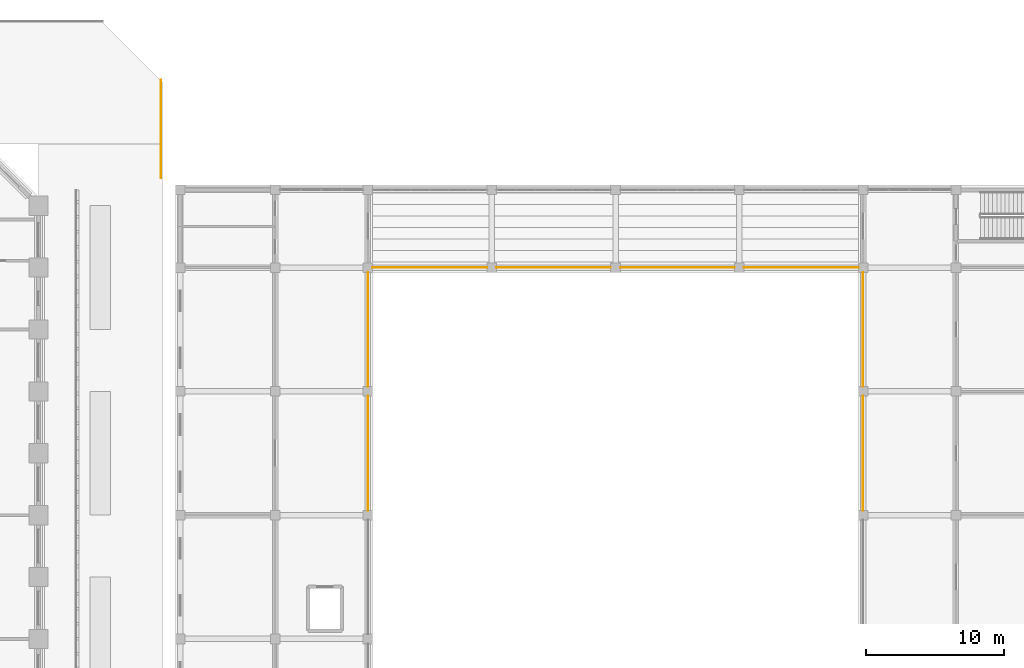
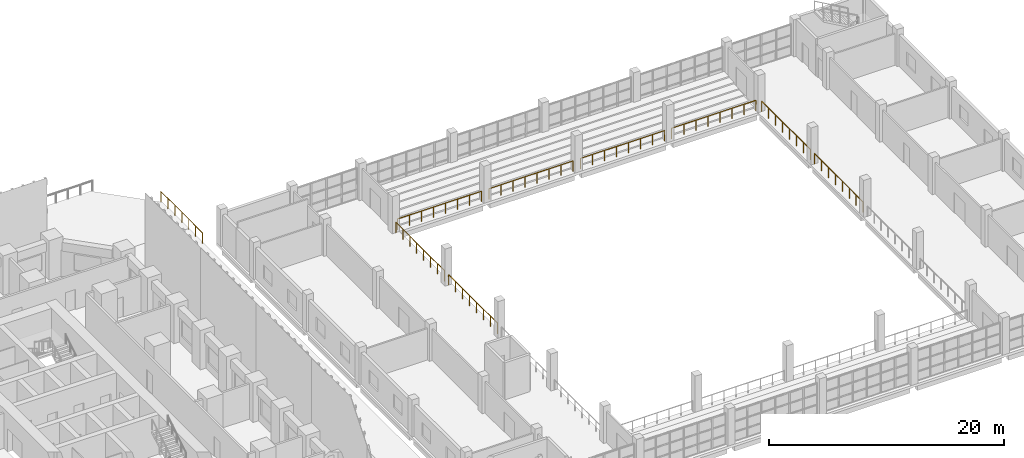
# One storey, part 32 of 36: 9 railings.
"""IFC4 building model written with IfcOpenShell, lengths in metres."""

import ifcopenshell
import ifcopenshell.guid

model = None  # the IFC model being written
_history = None  # IfcOwnerHistory: only IFC2X3 demands one
_inside = {}  # id of a spatial element -> (the spatial element, [elements in it])
_under = {}  # id of a project, library or spatial element -> (it, [spatial elements below it])
_declared = {}  # id of a project -> (the project, [libraries it declares])
_typed = {}  # id of a type object -> (the type object, [elements of that type])
_made_of = {}  # id of a material, layer set ... -> (it, [elements and type objects made of it])


def new_model(schema):
    """Start an empty IFC model of exactly this schema.

    Asked for "IFC4X3", IfcOpenShell would pick the latest addendum, in which some entities
    have other attributes; the version numbers below select the first issue.
    IFC2X3 requires an IfcOwnerHistory on every rooted entity: one is made here for all.
    """
    global model, _history
    if schema == "IFC4X3":
        model = ifcopenshell.file(schema_version=(4, 3, 0, 0))
    else:
        model = ifcopenshell.file(schema=schema)
    _inside.clear()
    _under.clear()
    _declared.clear()
    _typed.clear()
    _made_of.clear()
    _history = None
    if model.schema == "IFC2X3":
        org = make("IfcOrganization", Name="unknown")
        user = make(
            "IfcPersonAndOrganization",
            ThePerson=make("IfcPerson", FamilyName="unknown"),
            TheOrganization=org,
        )
        app = make(
            "IfcApplication",
            ApplicationDeveloper=org,
            Version="unknown",
            ApplicationFullName="unknown",
            ApplicationIdentifier="unknown",
        )
        _history = make(
            "IfcOwnerHistory",
            OwningUser=user,
            OwningApplication=app,
            ChangeAction="ADDED",
            CreationDate=0,
        )
    return model


def make(cls, **values):
    """One entity of the class cls with the attributes given. An attribute that is None is left unset."""
    return model.create_entity(
        cls, **{name: value for name, value in values.items() if value is not None}
    )


def rooted(cls, **values):
    """An entity with a GlobalId (a new one), such as an element, a storey or a relation."""
    return make(cls, GlobalId=ifcopenshell.guid.new(), OwnerHistory=_history, **values)


def si_unit(unit_type, name, prefix=None):
    """IfcSIUnit, for example si_unit("LENGTHUNIT", "METRE", prefix="MILLI")."""
    return make("IfcSIUnit", UnitType=unit_type, Prefix=prefix, Name=name)


def assignment(units):
    """IfcUnitAssignment: the units of a project."""
    return None if units is None else make("IfcUnitAssignment", Units=units)


def point(xyz):
    """IfcCartesianPoint."""
    return None if xyz is None else make("IfcCartesianPoint", Coordinates=xyz)


def direction(xyz):
    """IfcDirection."""
    return None if xyz is None else make("IfcDirection", DirectionRatios=xyz)


def frame(location, z_axis=None, x_axis=None):
    """IfcAxis2Placement3D, a coordinate frame: its origin and axes. An axis left out is left unset."""
    return make(
        "IfcAxis2Placement3D",
        Location=point(location),
        Axis=direction(z_axis),
        RefDirection=direction(x_axis),
    )


def frame_2d(location, x_axis=None):
    """IfcAxis2Placement2D, a coordinate frame in the plane: its origin and x axis."""
    return make(
        "IfcAxis2Placement2D", Location=point(location), RefDirection=direction(x_axis)
    )


def origin():
    """The frame at (0, 0, 0) with its axes left unset."""
    return frame((0.0, 0.0, 0.0))


def origin_2d():
    """The frame at (0, 0) in the plane with its x axis left unset."""
    return frame_2d((0.0, 0.0))


def place(relative_to, where):
    """IfcLocalPlacement: puts the frame where relative to a parent placement (None: the world)."""
    return make(
        "IfcLocalPlacement", PlacementRelTo=relative_to, RelativePlacement=where
    )


def context(
    kind, dimensions, precision=None, world=None, true_north=None, identifier=None
):
    """IfcGeometricRepresentationContext, for example the 3D "Model" context."""
    return make(
        "IfcGeometricRepresentationContext",
        ContextIdentifier=identifier,
        ContextType=kind,
        CoordinateSpaceDimension=dimensions,
        Precision=precision,
        WorldCoordinateSystem=world,
        TrueNorth=true_north,
    )


def subcontext(parent, identifier, kind, view, scale=None):
    """IfcGeometricRepresentationSubContext, for example "Body" below "Model"."""
    return make(
        "IfcGeometricRepresentationSubContext",
        ContextIdentifier=identifier,
        ContextType=kind,
        ParentContext=parent,
        TargetScale=scale,
        TargetView=view,
    )


def project(units=None, contexts=None):
    """IfcProject with its units and contexts."""
    return rooted(
        "IfcProject",
        Name="project",
        RepresentationContexts=contexts,
        UnitsInContext=assignment(units),
    )


def spatial(cls, under=None, at=None, **own):
    """A site, building, storey or space (cls), placed at a placement, below another one or the project."""
    s = rooted(cls, ObjectPlacement=at, **own)
    if under is not None:
        _under.setdefault(under.id(), (under, []))[1].append(s)
    return s


def profile(cls, at=None, kind="AREA", **sizes):
    """A parametric profile (cls). Its sizes go by their IFC names, for example OverallWidth=200.0."""
    return make(cls, ProfileType=kind, Position=at, **sizes)


def circle(**sizes):
    """IfcCircleProfileDef."""
    return profile("IfcCircleProfileDef", **sizes)


def extrude(swept, where, along, depth):
    """IfcExtrudedAreaSolid: the profile swept, set in the frame where, extruded along a direction by depth."""
    return make(
        "IfcExtrudedAreaSolid",
        SweptArea=swept,
        Position=where,
        ExtrudedDirection=direction(along),
        Depth=depth,
    )


def shape(context_of_items, identifier, shape_type, items):
    """IfcShapeRepresentation: the items that make up one representation, for example the "Body"."""
    return make(
        "IfcShapeRepresentation",
        ContextOfItems=context_of_items,
        RepresentationIdentifier=identifier,
        RepresentationType=shape_type,
        Items=items,
    )


def material(Name=None, Category=None):
    """IfcMaterial."""
    return make("IfcMaterial", Name=Name, Category=Category)


def made_of(thing, what):
    """Note that an element or type object is made of a material, layer set ...; save() writes the relation."""
    if what is not None:
        _made_of.setdefault(what.id(), (what, []))[1].append(thing)
    return thing


def type_object(cls, material=None, **own):
    """A type object (cls), such as IfcWallType, which elements share."""
    return made_of(rooted(cls, **own), material)


def element(
    cls,
    number,
    at=None,
    inside=None,
    cuts=None,
    type_object=None,
    material=None,
    context=None,
    identifier="Body",
    shape_type=None,
    held_by="IfcProductDefinitionShape",
    body=None,
    shapes=None,
    **own,
):
    """One element of the class cls, such as IfcWall. Its Tag is "e" and its number.

    at: its placement. inside: the storey or other place that contains it. cuts: it is an
    opening in that element (IfcRelVoidsElement). A single representation is given by context,
    identifier, shape_type and body (its items); several are given by shapes. held_by: the class
    of the entity that holds the representations. save() writes the other relations.
    """
    e = rooted(cls, Tag="e%d" % number, ObjectPlacement=at, **own)
    if body is not None:
        shapes = [shape(context, identifier, shape_type, body)]
    if shapes is not None:
        e.Representation = make(held_by, Representations=shapes)
    if inside is not None:
        _inside.setdefault(inside.id(), (inside, []))[1].append(e)
    if cuts is not None:
        rooted(
            "IfcRelVoidsElement", RelatingBuildingElement=cuts, RelatedOpeningElement=e
        )
    if type_object is not None:
        _typed.setdefault(type_object.id(), (type_object, []))[1].append(e)
    return made_of(e, material)


def aggregate(whole, parts):
    """IfcRelAggregates: a whole, such as a stair, and the parts it consists of."""
    return rooted("IfcRelAggregates", RelatingObject=whole, RelatedObjects=parts)


def save(model, path):
    """Write the relations noted so far, then the file.

    IfcRelAggregates (storeys below a building ...), IfcRelContainedInSpatialStructure (elements
    in a storey), IfcRelDefinesByType, IfcRelAssociatesMaterial and IfcRelDeclares: one each for
    every whole, place, type object, material and project.
    """
    for whole, parts in _under.values():
        aggregate(whole, parts)
    for where, things in _inside.values():
        rooted(
            "IfcRelContainedInSpatialStructure",
            RelatedElements=things,
            RelatingStructure=where,
        )
    for kind, things in _typed.values():
        rooted("IfcRelDefinesByType", RelatedObjects=things, RelatingType=kind)
    for what, things in _made_of.values():
        rooted("IfcRelAssociatesMaterial", RelatedObjects=things, RelatingMaterial=what)
    for by, libraries in _declared.values():
        rooted("IfcRelDeclares", RelatingContext=by, RelatedDefinitions=libraries)
    model.write(path)


model = new_model("IFC4")

# Units and contexts
model_context = context("Model", 3, precision=1e-05, world=origin(), true_north=direction((0.0, 1.0)))
body_context = subcontext(model_context, "Body", "Model", "MODEL_VIEW")
ifc_project = project(units=[si_unit("LENGTHUNIT", "METRE"), si_unit("AREAUNIT", "SQUARE_METRE"), si_unit("VOLUMEUNIT", "CUBIC_METRE"), si_unit("PLANEANGLEUNIT", "RADIAN"), si_unit("MASSUNIT", "GRAM", prefix="KILO")], contexts=[model_context])

# Site, building, storey
site_placement = place(None, origin())
site = spatial("IfcSite", under=ifc_project, at=site_placement, CompositionType="ELEMENT")
building_placement = place(site_placement, origin())
building = spatial("IfcBuilding", under=site, at=building_placement, Name="Corbel Stack Research Tower", CompositionType="ELEMENT")
storey_placement = place(building_placement, frame((0.0, 0.0, 7.199951171875)))
storey = spatial("IfcBuildingStorey", under=building, at=storey_placement, Name="L01", CompositionType="ELEMENT", Elevation=7.199951171875)

# Railings
ifc_material_1 = material(Name="Steel S235", Category="steel")
railing_type_1 = type_object("IfcRailingType", Name="HR1 guard 1100", PredefinedType="GUARDRAIL", material=ifc_material_1)
for number, where, name in (
    (1, (50.949951171875, 0.35009765625, 0.0), "Court guard 5"),
    (2, (86.949951171875, 0.35009765625, 0.0), "Court guard 6"),
    (3, (50.949951171875, 9.35009765625, 0.0), "Court guard 7"),
    (4, (86.949951171875, 9.35009765625, 0.0), "Court guard 8"),
):
    element("IfcRailing", number, at=place(storey_placement, frame(where)), inside=storey, type_object=railing_type_1, Name=name, PredefinedType="GUARDRAIL", context=body_context, shape_type="SweptSolid", body=[
        extrude(circle(Radius=0.02392578125, at=origin_2d()), frame((0.0, 0.0, 1.076171875), z_axis=(0.0, 1.0, 0.0), x_axis=(-1.0, 0.0, 0.0)), (0.0, 0.0, 1.0), 8.2998046875),
        extrude(circle(Radius=0.02099609375, at=origin_2d()), origin(), (0.0, 0.0, 1.0), 1.052001953125),
        extrude(circle(Radius=0.02099609375, at=origin_2d()), frame((0.0, 1.185791015625, 0.0)), (0.0, 0.0, 1.0), 1.052001953125),
        extrude(circle(Radius=0.02099609375, at=origin_2d()), frame((0.0, 2.371337890625, 0.0)), (0.0, 0.0, 1.0), 1.052001953125),
        extrude(circle(Radius=0.02099609375, at=origin_2d()), frame((0.0, 3.55712890625, 0.0)), (0.0, 0.0, 1.0), 1.052001953125),
        extrude(circle(Radius=0.02099609375, at=origin_2d()), frame((0.0, 4.74267578125, 0.0)), (0.0, 0.0, 1.0), 1.052001953125),
        extrude(circle(Radius=0.02099609375, at=origin_2d()), frame((0.0, 5.928466796875, 0.0)), (0.0, 0.0, 1.0), 1.052001953125),
        extrude(circle(Radius=0.02099609375, at=origin_2d()), frame((0.0, 7.114013671875, 0.0)), (0.0, 0.0, 1.0), 1.052001953125),
        extrude(circle(Radius=0.02099609375, at=origin_2d()), frame((0.0, 8.2998046875, 0.0)), (0.0, 0.0, 1.0), 1.052001953125),
    ])
for number, where, name in (
    (5, (51.300048828125, 18.0, 0.0), "Court guard 10"),
    (6, (60.300048828125, 18.0, 0.0), "Court guard 12"),
    (7, (69.300048828125, 18.0, 0.0), "Court guard 14"),
    (8, (78.300048828125, 18.0, 0.0), "Court guard 16"),
):
    element("IfcRailing", number, at=place(storey_placement, frame(where)), inside=storey, type_object=railing_type_1, Name=name, PredefinedType="GUARDRAIL", context=body_context, shape_type="SweptSolid", body=[
        extrude(circle(Radius=0.02392578125, at=origin_2d()), frame((0.0, 0.0, 1.076171875), z_axis=(1.0, 0.0, 0.0), x_axis=(0.0, 1.0, 0.0)), (0.0, 0.0, 1.0), 8.300048828125),
        extrude(circle(Radius=0.02099609375, at=origin_2d()), origin(), (0.0, 0.0, 1.0), 1.052001953125),
        extrude(circle(Radius=0.02099609375, at=origin_2d()), frame((1.185791015625, 0.0, 0.0)), (0.0, 0.0, 1.0), 1.052001953125),
        extrude(circle(Radius=0.02099609375, at=origin_2d()), frame((2.371337890625, 0.0, 0.0)), (0.0, 0.0, 1.0), 1.052001953125),
        extrude(circle(Radius=0.02099609375, at=origin_2d()), frame((3.55712890625, 0.0, 0.0)), (0.0, 0.0, 1.0), 1.052001953125),
        extrude(circle(Radius=0.02099609375, at=origin_2d()), frame((4.742919921875, 0.0, 0.0)), (0.0, 0.0, 1.0), 1.052001953125),
        extrude(circle(Radius=0.02099609375, at=origin_2d()), frame((5.9287109375, 0.0, 0.0)), (0.0, 0.0, 1.0), 1.052001953125),
        extrude(circle(Radius=0.02099609375, at=origin_2d()), frame((7.1142578125, 0.0, 0.0)), (0.0, 0.0, 1.0), 1.052001953125),
        extrude(circle(Radius=0.02099609375, at=origin_2d()), frame((8.300048828125, 0.0, 0.0)), (0.0, 0.0, 1.0), 1.052001953125),
    ])
ifc_material_2 = material(Name="Steel S235", Category="steel")
railing_type_2 = type_object("IfcRailingType", Name="SR1 guard 1100", PredefinedType="GUARDRAIL", material=ifc_material_2)
railing_placement = place(storey_placement, frame((35.89990234375, 31.642333984375, 0.0)))
element("IfcRailing", 9, at=railing_placement, inside=storey, type_object=railing_type_2, Name="Garden deck guard 5", PredefinedType="GUARDRAIL", context=body_context, shape_type="SweptSolid", body=[
    extrude(circle(Radius=0.02392578125, at=origin_2d()), frame((0.0, 0.0, 1.076171875), z_axis=(0.0, -1.0, 0.0), x_axis=(1.0, 0.0, 0.0)), (0.0, 0.0, 1.0), 7.142333984375),
    extrude(circle(Radius=0.02099609375, at=origin_2d()), origin(), (0.0, 0.0, 1.0), 1.052001953125),
    extrude(circle(Radius=0.02099609375, at=origin_2d()), frame((0.0, -1.1904296875, 0.0)), (0.0, 0.0, 1.0), 1.052001953125),
    extrude(circle(Radius=0.02099609375, at=origin_2d()), frame((0.0, -2.380859375, 0.0)), (0.0, 0.0, 1.0), 1.052001953125),
    extrude(circle(Radius=0.02099609375, at=origin_2d()), frame((0.0, -3.5712890625, 0.0)), (0.0, 0.0, 1.0), 1.052001953125),
    extrude(circle(Radius=0.02099609375, at=origin_2d()), frame((0.0, -4.761474609375, 0.0)), (0.0, 0.0, 1.0), 1.052001953125),
    extrude(circle(Radius=0.02099609375, at=origin_2d()), frame((0.0, -5.951904296875, 0.0)), (0.0, 0.0, 1.0), 1.052001953125),
    extrude(circle(Radius=0.02099609375, at=origin_2d()), frame((0.0, -7.142333984375, 0.0)), (0.0, 0.0, 1.0), 1.052001953125),
])

save(model, "model.ifc")
